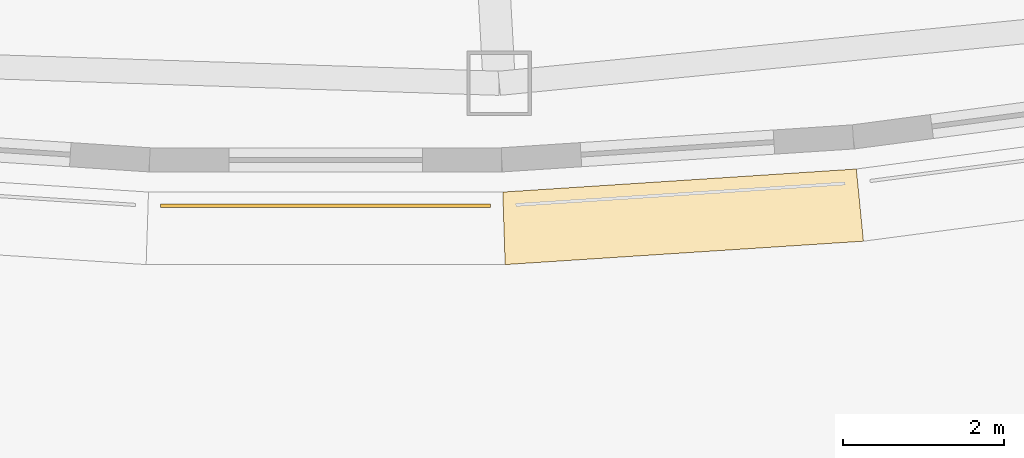
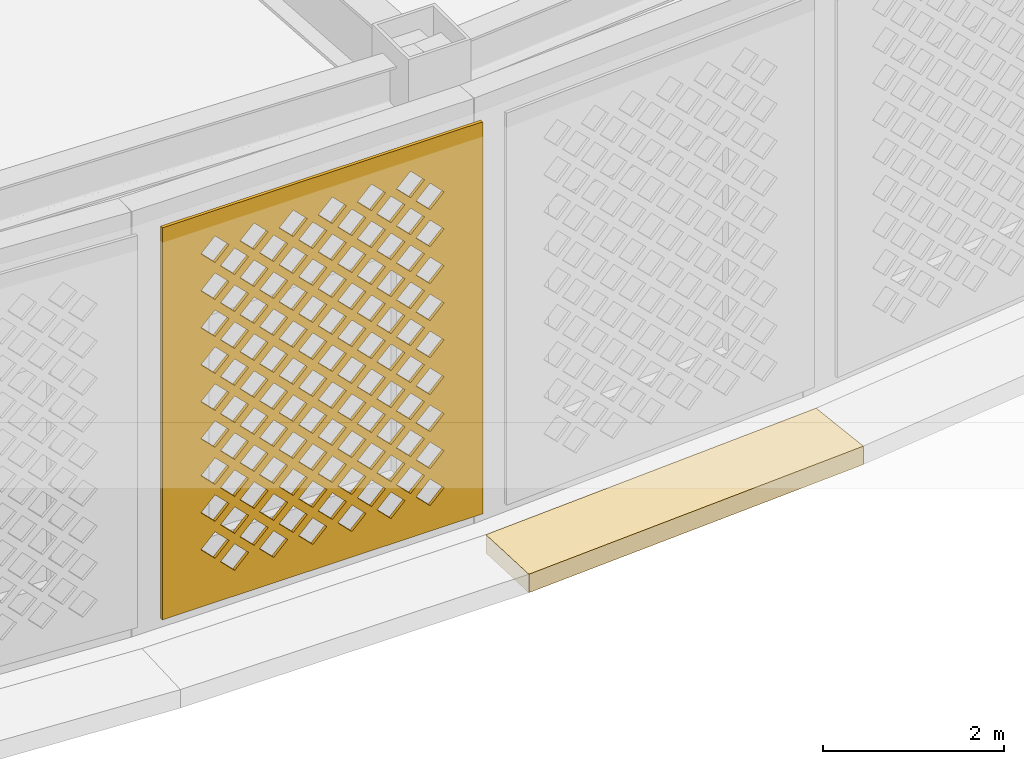
# One storey, part 57 of 74: 2 coverings.
"""IFC4 building model written with IfcOpenShell, lengths in metres."""

from ifc_helpers import new_model, si_unit, direction, frame, origin, place, context, subcontext, project, spatial, polyline, outline, extrude, material, layer, layer_set, type_object, element, save


model = new_model("IFC4")

# Units and contexts
model_context = context("Model", 3, precision=1e-05, world=origin(), true_north=direction((0.0, 1.0)))
body_context = subcontext(model_context, "Body", "Model", "MODEL_VIEW")
ifc_project = project(units=[si_unit("LENGTHUNIT", "METRE"), si_unit("AREAUNIT", "SQUARE_METRE"), si_unit("VOLUMEUNIT", "CUBIC_METRE"), si_unit("PLANEANGLEUNIT", "RADIAN"), si_unit("MASSUNIT", "GRAM", prefix="KILO")], contexts=[model_context])

# Site, building, storey
site_placement = place(None, origin())
site = spatial("IfcSite", under=ifc_project, at=site_placement, CompositionType="ELEMENT")
building_placement = place(site_placement, origin())
building = spatial("IfcBuilding", under=site, at=building_placement, Name="Noorbagh Ring Tower", CompositionType="ELEMENT")
storey_placement = place(building_placement, frame((0.0, 0.0, 7.5)))
storey = spatial("IfcBuildingStorey", under=building, at=storey_placement, Name="L01", CompositionType="ELEMENT", Elevation=7.5)

# Coverings
ifc_material_1 = material(Name="Red sandstone eave", Category="masonry")
covering_type_1 = type_object("IfcCoveringType", Name="STY-CHHAJJA", PredefinedType="USERDEFINED", material=ifc_material_1)
covering_1_placement = place(storey_placement, frame((0.0, 0.0, -0.25)))
element("IfcCovering", 1, at=covering_1_placement, inside=storey, type_object=covering_type_1, Name="Chhajja eave", ObjectType="CHHAJJA", PredefinedType="USERDEFINED", context=body_context, shape_type="SweptSolid", body=[
    extrude(outline(polyline([(2.198486328125, -39.964111328125), (6.586181640625, -39.677978515625), (6.67431640625, -40.573974609375), (2.227783203125, -40.8642578125), (2.198486328125, -39.964111328125)])), origin(), (0.0, 0.0, 1.0), 0.25),
])
ifc_material_2 = material(Name="Red sandstone jali", Category="masonry")
ifc_layer = layer(ifc_material_2, 0.0400390625)
ifc_layer_set = layer_set([ifc_layer], Name="Red sandstone jali")
covering_type_2 = type_object("IfcCoveringType", Name="STY-JALI", PredefinedType="USERDEFINED", material=ifc_layer_set)
covering_2_placement = place(storey_placement, frame((-2.048583984375, -40.154296875, 0.449951171875), z_axis=(0.0, -1.0, 0.0), x_axis=(1.0, 0.0, 0.0)))
element("IfcCovering", 2, at=covering_2_placement, inside=storey, type_object=covering_type_2, Name="Jali screen", ObjectType="SCREEN", PredefinedType="USERDEFINED", context=body_context, shape_type="SweptSolid", body=[
    extrude(outline(polyline([(0.0, 0.0), (4.09716796875, 0.0), (4.09716796875, 5.300048828125), (0.0, 5.300048828125), (0.0, 0.0)]), holes=[polyline([(0.743408203125, 0.52490234375), (0.923583984375, 0.344970703125), (1.103515625, 0.52490234375), (0.923583984375, 0.705078125), (0.743408203125, 0.52490234375)]), polyline([(1.243408203125, 0.52490234375), (1.423583984375, 0.344970703125), (1.603515625, 0.52490234375), (1.423583984375, 0.705078125), (1.243408203125, 0.52490234375)]), polyline([(1.743408203125, 0.52490234375), (1.923583984375, 0.344970703125), (2.103515625, 0.52490234375), (1.923583984375, 0.705078125), (1.743408203125, 0.52490234375)]), polyline([(2.243408203125, 0.52490234375), (2.423583984375, 0.344970703125), (2.603515625, 0.52490234375), (2.423583984375, 0.705078125), (2.243408203125, 0.52490234375)]), polyline([(2.743408203125, 0.52490234375), (2.923583984375, 0.344970703125), (3.103515625, 0.52490234375), (2.923583984375, 0.705078125), (2.743408203125, 0.52490234375)]), polyline([(3.243408203125, 0.52490234375), (3.423583984375, 0.344970703125), (3.603515625, 0.52490234375), (3.423583984375, 0.705078125), (3.243408203125, 0.52490234375)]), polyline([(0.493408203125, 0.77490234375), (0.673583984375, 0.594970703125), (0.853515625, 0.77490234375), (0.673583984375, 0.955078125), (0.493408203125, 0.77490234375)]), polyline([(0.993408203125, 0.77490234375), (1.173583984375, 0.594970703125), (1.353515625, 0.77490234375), (1.173583984375, 0.955078125), (0.993408203125, 0.77490234375)]), polyline([(1.493408203125, 0.77490234375), (1.673583984375, 0.594970703125), (1.853515625, 0.77490234375), (1.673583984375, 0.955078125), (1.493408203125, 0.77490234375)]), polyline([(1.993408203125, 0.77490234375), (2.173583984375, 0.594970703125), (2.353515625, 0.77490234375), (2.173583984375, 0.955078125), (1.993408203125, 0.77490234375)]), polyline([(2.493408203125, 0.77490234375), (2.673583984375, 0.594970703125), (2.853515625, 0.77490234375), (2.673583984375, 0.955078125), (2.493408203125, 0.77490234375)]), polyline([(2.993408203125, 0.77490234375), (3.173583984375, 0.594970703125), (3.353515625, 0.77490234375), (3.173583984375, 0.955078125), (2.993408203125, 0.77490234375)]), polyline([(0.743408203125, 1.02490234375), (0.923583984375, 0.844970703125), (1.103515625, 1.02490234375), (0.923583984375, 1.205078125), (0.743408203125, 1.02490234375)]), polyline([(1.243408203125, 1.02490234375), (1.423583984375, 0.844970703125), (1.603515625, 1.02490234375), (1.423583984375, 1.205078125), (1.243408203125, 1.02490234375)]), polyline([(1.743408203125, 1.02490234375), (1.923583984375, 0.844970703125), (2.103515625, 1.02490234375), (1.923583984375, 1.205078125), (1.743408203125, 1.02490234375)]), polyline([(2.243408203125, 1.02490234375), (2.423583984375, 0.844970703125), (2.603515625, 1.02490234375), (2.423583984375, 1.205078125), (2.243408203125, 1.02490234375)]), polyline([(2.743408203125, 1.02490234375), (2.923583984375, 0.844970703125), (3.103515625, 1.02490234375), (2.923583984375, 1.205078125), (2.743408203125, 1.02490234375)]), polyline([(3.243408203125, 1.02490234375), (3.423583984375, 0.844970703125), (3.603515625, 1.02490234375), (3.423583984375, 1.205078125), (3.243408203125, 1.02490234375)]), polyline([(0.493408203125, 1.27490234375), (0.673583984375, 1.094970703125), (0.853515625, 1.27490234375), (0.673583984375, 1.455078125), (0.493408203125, 1.27490234375)]), polyline([(0.993408203125, 1.27490234375), (1.173583984375, 1.094970703125), (1.353515625, 1.27490234375), (1.173583984375, 1.455078125), (0.993408203125, 1.27490234375)]), polyline([(1.493408203125, 1.27490234375), (1.673583984375, 1.094970703125), (1.853515625, 1.27490234375), (1.673583984375, 1.455078125), (1.493408203125, 1.27490234375)]), polyline([(1.993408203125, 1.27490234375), (2.173583984375, 1.094970703125), (2.353515625, 1.27490234375), (2.173583984375, 1.455078125), (1.993408203125, 1.27490234375)]), polyline([(2.493408203125, 1.27490234375), (2.673583984375, 1.094970703125), (2.853515625, 1.27490234375), (2.673583984375, 1.455078125), (2.493408203125, 1.27490234375)]), polyline([(2.993408203125, 1.27490234375), (3.173583984375, 1.094970703125), (3.353515625, 1.27490234375), (3.173583984375, 1.455078125), (2.993408203125, 1.27490234375)]), polyline([(0.743408203125, 1.52490234375), (0.923583984375, 1.344970703125), (1.103515625, 1.52490234375), (0.923583984375, 1.705078125), (0.743408203125, 1.52490234375)]), polyline([(1.243408203125, 1.52490234375), (1.423583984375, 1.344970703125), (1.603515625, 1.52490234375), (1.423583984375, 1.705078125), (1.243408203125, 1.52490234375)]), polyline([(1.743408203125, 1.52490234375), (1.923583984375, 1.344970703125), (2.103515625, 1.52490234375), (1.923583984375, 1.705078125), (1.743408203125, 1.52490234375)]), polyline([(2.243408203125, 1.52490234375), (2.423583984375, 1.344970703125), (2.603515625, 1.52490234375), (2.423583984375, 1.705078125), (2.243408203125, 1.52490234375)]), polyline([(2.743408203125, 1.52490234375), (2.923583984375, 1.344970703125), (3.103515625, 1.52490234375), (2.923583984375, 1.705078125), (2.743408203125, 1.52490234375)]), polyline([(3.243408203125, 1.52490234375), (3.423583984375, 1.344970703125), (3.603515625, 1.52490234375), (3.423583984375, 1.705078125), (3.243408203125, 1.52490234375)]), polyline([(0.493408203125, 1.77490234375), (0.673583984375, 1.594970703125), (0.853515625, 1.77490234375), (0.673583984375, 1.955078125), (0.493408203125, 1.77490234375)]), polyline([(0.993408203125, 1.77490234375), (1.173583984375, 1.594970703125), (1.353515625, 1.77490234375), (1.173583984375, 1.955078125), (0.993408203125, 1.77490234375)]), polyline([(1.493408203125, 1.77490234375), (1.673583984375, 1.594970703125), (1.853515625, 1.77490234375), (1.673583984375, 1.955078125), (1.493408203125, 1.77490234375)]), polyline([(1.993408203125, 1.77490234375), (2.173583984375, 1.594970703125), (2.353515625, 1.77490234375), (2.173583984375, 1.955078125), (1.993408203125, 1.77490234375)]), polyline([(2.493408203125, 1.77490234375), (2.673583984375, 1.594970703125), (2.853515625, 1.77490234375), (2.673583984375, 1.955078125), (2.493408203125, 1.77490234375)]), polyline([(2.993408203125, 1.77490234375), (3.173583984375, 1.594970703125), (3.353515625, 1.77490234375), (3.173583984375, 1.955078125), (2.993408203125, 1.77490234375)]), polyline([(0.743408203125, 2.02490234375), (0.923583984375, 1.844970703125), (1.103515625, 2.02490234375), (0.923583984375, 2.205078125), (0.743408203125, 2.02490234375)]), polyline([(1.243408203125, 2.02490234375), (1.423583984375, 1.844970703125), (1.603515625, 2.02490234375), (1.423583984375, 2.205078125), (1.243408203125, 2.02490234375)]), polyline([(1.743408203125, 2.02490234375), (1.923583984375, 1.844970703125), (2.103515625, 2.02490234375), (1.923583984375, 2.205078125), (1.743408203125, 2.02490234375)]), polyline([(2.243408203125, 2.02490234375), (2.423583984375, 1.844970703125), (2.603515625, 2.02490234375), (2.423583984375, 2.205078125), (2.243408203125, 2.02490234375)]), polyline([(2.743408203125, 2.02490234375), (2.923583984375, 1.844970703125), (3.103515625, 2.02490234375), (2.923583984375, 2.205078125), (2.743408203125, 2.02490234375)]), polyline([(3.243408203125, 2.02490234375), (3.423583984375, 1.844970703125), (3.603515625, 2.02490234375), (3.423583984375, 2.205078125), (3.243408203125, 2.02490234375)]), polyline([(0.493408203125, 2.27490234375), (0.673583984375, 2.094970703125), (0.853515625, 2.27490234375), (0.673583984375, 2.455078125), (0.493408203125, 2.27490234375)]), polyline([(0.993408203125, 2.27490234375), (1.173583984375, 2.094970703125), (1.353515625, 2.27490234375), (1.173583984375, 2.455078125), (0.993408203125, 2.27490234375)]), polyline([(1.493408203125, 2.27490234375), (1.673583984375, 2.094970703125), (1.853515625, 2.27490234375), (1.673583984375, 2.455078125), (1.493408203125, 2.27490234375)]), polyline([(1.993408203125, 2.27490234375), (2.173583984375, 2.094970703125), (2.353515625, 2.27490234375), (2.173583984375, 2.455078125), (1.993408203125, 2.27490234375)]), polyline([(2.493408203125, 2.27490234375), (2.673583984375, 2.094970703125), (2.853515625, 2.27490234375), (2.673583984375, 2.455078125), (2.493408203125, 2.27490234375)]), polyline([(2.993408203125, 2.27490234375), (3.173583984375, 2.094970703125), (3.353515625, 2.27490234375), (3.173583984375, 2.455078125), (2.993408203125, 2.27490234375)]), polyline([(0.743408203125, 2.52490234375), (0.923583984375, 2.344970703125), (1.103515625, 2.52490234375), (0.923583984375, 2.705078125), (0.743408203125, 2.52490234375)]), polyline([(1.243408203125, 2.52490234375), (1.423583984375, 2.344970703125), (1.603515625, 2.52490234375), (1.423583984375, 2.705078125), (1.243408203125, 2.52490234375)]), polyline([(1.743408203125, 2.52490234375), (1.923583984375, 2.344970703125), (2.103515625, 2.52490234375), (1.923583984375, 2.705078125), (1.743408203125, 2.52490234375)]), polyline([(2.243408203125, 2.52490234375), (2.423583984375, 2.344970703125), (2.603515625, 2.52490234375), (2.423583984375, 2.705078125), (2.243408203125, 2.52490234375)]), polyline([(2.743408203125, 2.52490234375), (2.923583984375, 2.344970703125), (3.103515625, 2.52490234375), (2.923583984375, 2.705078125), (2.743408203125, 2.52490234375)]), polyline([(3.243408203125, 2.52490234375), (3.423583984375, 2.344970703125), (3.603515625, 2.52490234375), (3.423583984375, 2.705078125), (3.243408203125, 2.52490234375)]), polyline([(0.493408203125, 2.77490234375), (0.673583984375, 2.594970703125), (0.853515625, 2.77490234375), (0.673583984375, 2.955078125), (0.493408203125, 2.77490234375)]), polyline([(0.993408203125, 2.77490234375), (1.173583984375, 2.594970703125), (1.353515625, 2.77490234375), (1.173583984375, 2.955078125), (0.993408203125, 2.77490234375)]), polyline([(1.493408203125, 2.77490234375), (1.673583984375, 2.594970703125), (1.853515625, 2.77490234375), (1.673583984375, 2.955078125), (1.493408203125, 2.77490234375)]), polyline([(1.993408203125, 2.77490234375), (2.173583984375, 2.594970703125), (2.353515625, 2.77490234375), (2.173583984375, 2.955078125), (1.993408203125, 2.77490234375)]), polyline([(2.493408203125, 2.77490234375), (2.673583984375, 2.594970703125), (2.853515625, 2.77490234375), (2.673583984375, 2.955078125), (2.493408203125, 2.77490234375)]), polyline([(2.993408203125, 2.77490234375), (3.173583984375, 2.594970703125), (3.353515625, 2.77490234375), (3.173583984375, 2.955078125), (2.993408203125, 2.77490234375)]), polyline([(0.743408203125, 3.02490234375), (0.923583984375, 2.844970703125), (1.103515625, 3.02490234375), (0.923583984375, 3.205078125), (0.743408203125, 3.02490234375)]), polyline([(1.243408203125, 3.02490234375), (1.423583984375, 2.844970703125), (1.603515625, 3.02490234375), (1.423583984375, 3.205078125), (1.243408203125, 3.02490234375)]), polyline([(1.743408203125, 3.02490234375), (1.923583984375, 2.844970703125), (2.103515625, 3.02490234375), (1.923583984375, 3.205078125), (1.743408203125, 3.02490234375)]), polyline([(2.243408203125, 3.02490234375), (2.423583984375, 2.844970703125), (2.603515625, 3.02490234375), (2.423583984375, 3.205078125), (2.243408203125, 3.02490234375)]), polyline([(2.743408203125, 3.02490234375), (2.923583984375, 2.844970703125), (3.103515625, 3.02490234375), (2.923583984375, 3.205078125), (2.743408203125, 3.02490234375)]), polyline([(3.243408203125, 3.02490234375), (3.423583984375, 2.844970703125), (3.603515625, 3.02490234375), (3.423583984375, 3.205078125), (3.243408203125, 3.02490234375)]), polyline([(0.493408203125, 3.27490234375), (0.673583984375, 3.094970703125), (0.853515625, 3.27490234375), (0.673583984375, 3.455078125), (0.493408203125, 3.27490234375)]), polyline([(0.993408203125, 3.27490234375), (1.173583984375, 3.094970703125), (1.353515625, 3.27490234375), (1.173583984375, 3.455078125), (0.993408203125, 3.27490234375)]), polyline([(1.493408203125, 3.27490234375), (1.673583984375, 3.094970703125), (1.853515625, 3.27490234375), (1.673583984375, 3.455078125), (1.493408203125, 3.27490234375)]), polyline([(1.993408203125, 3.27490234375), (2.173583984375, 3.094970703125), (2.353515625, 3.27490234375), (2.173583984375, 3.455078125), (1.993408203125, 3.27490234375)]), polyline([(2.493408203125, 3.27490234375), (2.673583984375, 3.094970703125), (2.853515625, 3.27490234375), (2.673583984375, 3.455078125), (2.493408203125, 3.27490234375)]), polyline([(2.993408203125, 3.27490234375), (3.173583984375, 3.094970703125), (3.353515625, 3.27490234375), (3.173583984375, 3.455078125), (2.993408203125, 3.27490234375)]), polyline([(0.743408203125, 3.52490234375), (0.923583984375, 3.344970703125), (1.103515625, 3.52490234375), (0.923583984375, 3.705078125), (0.743408203125, 3.52490234375)]), polyline([(1.243408203125, 3.52490234375), (1.423583984375, 3.344970703125), (1.603515625, 3.52490234375), (1.423583984375, 3.705078125), (1.243408203125, 3.52490234375)]), polyline([(1.743408203125, 3.52490234375), (1.923583984375, 3.344970703125), (2.103515625, 3.52490234375), (1.923583984375, 3.705078125), (1.743408203125, 3.52490234375)]), polyline([(2.243408203125, 3.52490234375), (2.423583984375, 3.344970703125), (2.603515625, 3.52490234375), (2.423583984375, 3.705078125), (2.243408203125, 3.52490234375)]), polyline([(2.743408203125, 3.52490234375), (2.923583984375, 3.344970703125), (3.103515625, 3.52490234375), (2.923583984375, 3.705078125), (2.743408203125, 3.52490234375)]), polyline([(3.243408203125, 3.52490234375), (3.423583984375, 3.344970703125), (3.603515625, 3.52490234375), (3.423583984375, 3.705078125), (3.243408203125, 3.52490234375)]), polyline([(0.493408203125, 3.77490234375), (0.673583984375, 3.594970703125), (0.853515625, 3.77490234375), (0.673583984375, 3.955078125), (0.493408203125, 3.77490234375)]), polyline([(0.993408203125, 3.77490234375), (1.173583984375, 3.594970703125), (1.353515625, 3.77490234375), (1.173583984375, 3.955078125), (0.993408203125, 3.77490234375)]), polyline([(1.493408203125, 3.77490234375), (1.673583984375, 3.594970703125), (1.853515625, 3.77490234375), (1.673583984375, 3.955078125), (1.493408203125, 3.77490234375)]), polyline([(1.993408203125, 3.77490234375), (2.173583984375, 3.594970703125), (2.353515625, 3.77490234375), (2.173583984375, 3.955078125), (1.993408203125, 3.77490234375)]), polyline([(2.493408203125, 3.77490234375), (2.673583984375, 3.594970703125), (2.853515625, 3.77490234375), (2.673583984375, 3.955078125), (2.493408203125, 3.77490234375)]), polyline([(2.993408203125, 3.77490234375), (3.173583984375, 3.594970703125), (3.353515625, 3.77490234375), (3.173583984375, 3.955078125), (2.993408203125, 3.77490234375)]), polyline([(0.743408203125, 4.02490234375), (0.923583984375, 3.844970703125), (1.103515625, 4.02490234375), (0.923583984375, 4.205078125), (0.743408203125, 4.02490234375)]), polyline([(1.243408203125, 4.02490234375), (1.423583984375, 3.844970703125), (1.603515625, 4.02490234375), (1.423583984375, 4.205078125), (1.243408203125, 4.02490234375)]), polyline([(1.743408203125, 4.02490234375), (1.923583984375, 3.844970703125), (2.103515625, 4.02490234375), (1.923583984375, 4.205078125), (1.743408203125, 4.02490234375)]), polyline([(2.243408203125, 4.02490234375), (2.423583984375, 3.844970703125), (2.603515625, 4.02490234375), (2.423583984375, 4.205078125), (2.243408203125, 4.02490234375)]), polyline([(2.743408203125, 4.02490234375), (2.923583984375, 3.844970703125), (3.103515625, 4.02490234375), (2.923583984375, 4.205078125), (2.743408203125, 4.02490234375)]), polyline([(3.243408203125, 4.02490234375), (3.423583984375, 3.844970703125), (3.603515625, 4.02490234375), (3.423583984375, 4.205078125), (3.243408203125, 4.02490234375)]), polyline([(0.493408203125, 4.27490234375), (0.673583984375, 4.094970703125), (0.853515625, 4.27490234375), (0.673583984375, 4.455078125), (0.493408203125, 4.27490234375)]), polyline([(0.993408203125, 4.27490234375), (1.173583984375, 4.094970703125), (1.353515625, 4.27490234375), (1.173583984375, 4.455078125), (0.993408203125, 4.27490234375)]), polyline([(1.493408203125, 4.27490234375), (1.673583984375, 4.094970703125), (1.853515625, 4.27490234375), (1.673583984375, 4.455078125), (1.493408203125, 4.27490234375)]), polyline([(1.993408203125, 4.27490234375), (2.173583984375, 4.094970703125), (2.353515625, 4.27490234375), (2.173583984375, 4.455078125), (1.993408203125, 4.27490234375)]), polyline([(2.493408203125, 4.27490234375), (2.673583984375, 4.094970703125), (2.853515625, 4.27490234375), (2.673583984375, 4.455078125), (2.493408203125, 4.27490234375)]), polyline([(2.993408203125, 4.27490234375), (3.173583984375, 4.094970703125), (3.353515625, 4.27490234375), (3.173583984375, 4.455078125), (2.993408203125, 4.27490234375)]), polyline([(0.743408203125, 4.52490234375), (0.923583984375, 4.344970703125), (1.103515625, 4.52490234375), (0.923583984375, 4.705078125), (0.743408203125, 4.52490234375)]), polyline([(1.243408203125, 4.52490234375), (1.423583984375, 4.344970703125), (1.603515625, 4.52490234375), (1.423583984375, 4.705078125), (1.243408203125, 4.52490234375)]), polyline([(1.743408203125, 4.52490234375), (1.923583984375, 4.344970703125), (2.103515625, 4.52490234375), (1.923583984375, 4.705078125), (1.743408203125, 4.52490234375)]), polyline([(2.243408203125, 4.52490234375), (2.423583984375, 4.344970703125), (2.603515625, 4.52490234375), (2.423583984375, 4.705078125), (2.243408203125, 4.52490234375)]), polyline([(2.743408203125, 4.52490234375), (2.923583984375, 4.344970703125), (3.103515625, 4.52490234375), (2.923583984375, 4.705078125), (2.743408203125, 4.52490234375)]), polyline([(3.243408203125, 4.52490234375), (3.423583984375, 4.344970703125), (3.603515625, 4.52490234375), (3.423583984375, 4.705078125), (3.243408203125, 4.52490234375)]), polyline([(0.493408203125, 4.77490234375), (0.673583984375, 4.594970703125), (0.853515625, 4.77490234375), (0.673583984375, 4.955078125), (0.493408203125, 4.77490234375)]), polyline([(0.993408203125, 4.77490234375), (1.173583984375, 4.594970703125), (1.353515625, 4.77490234375), (1.173583984375, 4.955078125), (0.993408203125, 4.77490234375)]), polyline([(1.493408203125, 4.77490234375), (1.673583984375, 4.594970703125), (1.853515625, 4.77490234375), (1.673583984375, 4.955078125), (1.493408203125, 4.77490234375)]), polyline([(1.993408203125, 4.77490234375), (2.173583984375, 4.594970703125), (2.353515625, 4.77490234375), (2.173583984375, 4.955078125), (1.993408203125, 4.77490234375)]), polyline([(2.493408203125, 4.77490234375), (2.673583984375, 4.594970703125), (2.853515625, 4.77490234375), (2.673583984375, 4.955078125), (2.493408203125, 4.77490234375)]), polyline([(2.993408203125, 4.77490234375), (3.173583984375, 4.594970703125), (3.353515625, 4.77490234375), (3.173583984375, 4.955078125), (2.993408203125, 4.77490234375)])]), origin(), (0.0, 0.0, -1.0), 0.0400390625),
])

save(model, "model.ifc")
